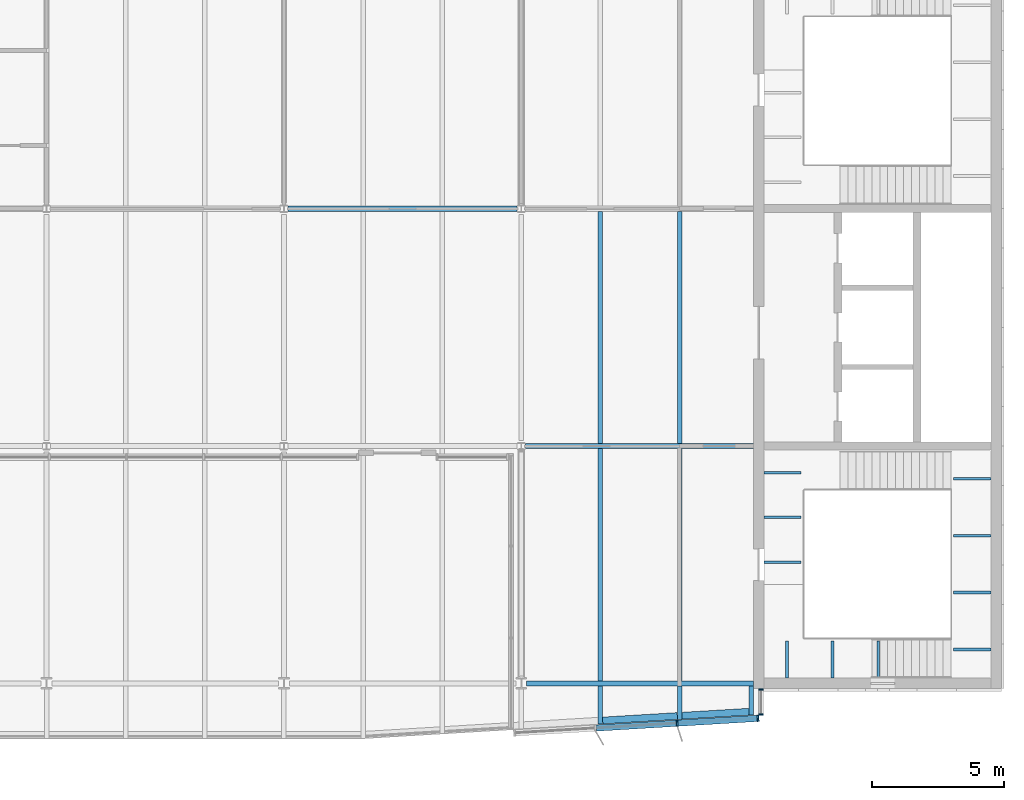
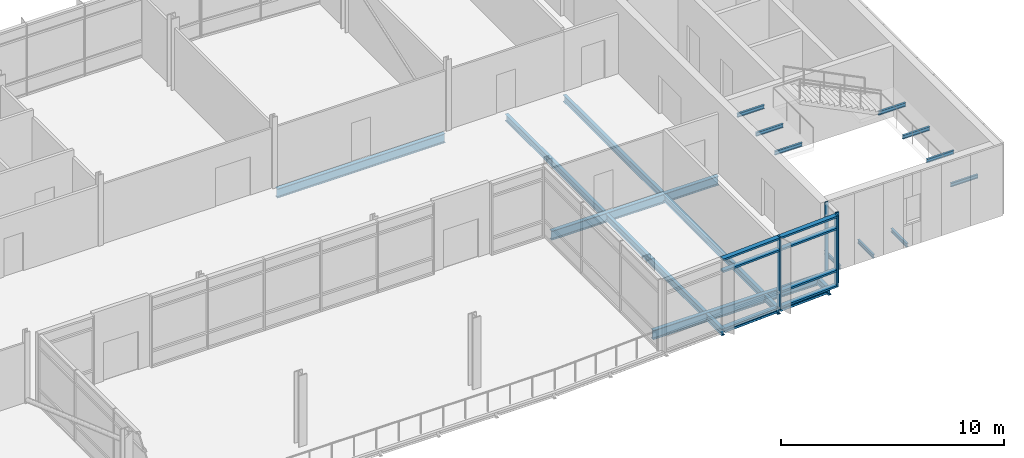
# One storey, part 7 of 19: 22 beams, 10 members, 2 elements without a shape of their own.
"""IFC4 building model written with IfcOpenShell, lengths in metres."""

from ifc_helpers import new_model, si_unit, direction, frame, origin, origin_2d, place, context, subcontext, project, spatial, rectangle, i_section, extrude, material, material_profile, profile_set, type_object, element, aggregate, save


model = new_model("IFC4")

# Units and contexts
model_context = context("Model", 3, precision=1e-05, world=origin(), true_north=direction((0.0, 1.0)))
body_context = subcontext(model_context, "Body", "Model", "MODEL_VIEW")
ifc_project = project(units=[si_unit("LENGTHUNIT", "METRE"), si_unit("AREAUNIT", "SQUARE_METRE"), si_unit("VOLUMEUNIT", "CUBIC_METRE"), si_unit("PLANEANGLEUNIT", "RADIAN"), si_unit("MASSUNIT", "GRAM", prefix="KILO")], contexts=[model_context])

# Site, building, storey
site_placement = place(None, origin())
site = spatial("IfcSite", under=ifc_project, at=site_placement, CompositionType="ELEMENT")
building_placement = place(site_placement, origin())
building = spatial("IfcBuilding", under=site, at=building_placement, Name="Azimuth Sports and Learning Centre", CompositionType="ELEMENT")
storey_placement = place(building_placement, frame((0.0, 0.0, 67.5)))
storey = spatial("IfcBuildingStorey", under=building, at=storey_placement, Name="L15", CompositionType="ELEMENT", Elevation=67.5)

# Beams
ifc_material_1 = material(Name="Steel S355", Category="steel")
ifc_material_profile_1 = material_profile(ifc_material_1, i_section(OverallWidth=0.10009765625, OverallDepth=0.199951171875, WebThickness=0.005615234375, FlangeThickness=0.008544921875, FilletRadius=0.011962890625, at=origin_2d()), Name="IPE 200")
ifc_profile_set_1 = profile_set([ifc_material_profile_1], Name="Steel S355")
beam_type_1 = type_object("IfcBeamType", Name="Beam IPE 200", PredefinedType="BEAM", material=ifc_profile_set_1)
for number, where, z_axis, x_axis, name in (
    (1, (109.0732421875, 90.199951171875, -0.300048828125), (0.0, 1.0, 0.0), (-1.0, 0.0, 0.0), "Landing bracket E1 L15 505"),
    (2, (110.800048828125, 90.199951171875, -0.300048828125), (0.0, 1.0, 0.0), (-1.0, 0.0, 0.0), "Landing bracket E1 L15 506"),
    (3, (112.526611328125, 90.199951171875, -0.300048828125), (0.0, 1.0, 0.0), (-1.0, 0.0, 0.0), "Landing bracket E1 L15 507"),
    (4, (116.800048828125, 91.288818359375, 1.35009765625), (-1.0, 0.0, 0.0), (0.0, -1.0, 0.0), "Landing bracket E1 L15 508"),
    (5, (116.800048828125, 93.4462890625, 1.35009765625), (-1.0, 0.0, 0.0), (0.0, -1.0, 0.0), "Landing bracket E1 L15 509"),
    (6, (116.800048828125, 95.603759765625, 1.35009765625), (-1.0, 0.0, 0.0), (0.0, -1.0, 0.0), "Landing bracket E1 L15 510"),
    (7, (116.800048828125, 97.76123046875, 1.35009765625), (-1.0, 0.0, 0.0), (0.0, -1.0, 0.0), "Landing bracket E1 L15 511"),
    (8, (108.199951171875, 94.598388671875, 3.60009765625), (1.0, 0.0, 0.0), (0.0, 1.0, 0.0), "Landing bracket E1 L15 512"),
    (9, (108.199951171875, 96.294921875, 3.60009765625), (1.0, 0.0, 0.0), (0.0, 1.0, 0.0), "Landing bracket E1 L15 513"),
    (10, (108.199951171875, 97.99169921875, 3.60009765625), (1.0, 0.0, 0.0), (0.0, 1.0, 0.0), "Landing bracket E1 L15 514"),
):
    element("IfcBeam", number, at=place(storey_placement, frame(where, z_axis=z_axis, x_axis=x_axis)), inside=storey, type_object=beam_type_1, Name=name, PredefinedType="BEAM", context=body_context, shape_type="SweptSolid", body=[
        extrude(i_section(OverallWidth=0.10009765625, OverallDepth=0.199951171875, WebThickness=0.005615234375, FlangeThickness=0.008544921875, FilletRadius=0.011962890625, at=origin_2d()), origin(), (0.0, 0.0, 1.0), 1.41015625),
    ])
ifc_material_2 = material(Name="Steel S355", Category="steel")
ifc_material_profile_2 = material_profile(ifc_material_2, i_section(OverallWidth=0.199951171875, OverallDepth=0.5, WebThickness=0.01025390625, FlangeThickness=0.01611328125, FilletRadius=0.02099609375, at=origin_2d()), Name="IPE 500")
ifc_profile_set_2 = profile_set([ifc_material_profile_2], Name="Steel S355")
beam_type_2 = type_object("IfcBeamType", Name="Beam IPE 500", PredefinedType="BEAM", material=ifc_profile_set_2)
beam_1_placement = place(storey_placement, frame((99.2060546875, 90.0, -0.3798828125), z_axis=(1.0, 0.0, 0.0), x_axis=(0.0, 1.0, 0.0)))
element("IfcBeam", 11, at=beam_1_placement, inside=storey, type_object=beam_type_2, Name="Tower girder L15", PredefinedType="BEAM", context=body_context, shape_type="SweptSolid", body=[
    extrude(i_section(OverallWidth=0.199951171875, OverallDepth=0.5, WebThickness=0.01025390625, FlangeThickness=0.01611328125, FilletRadius=0.02099609375, at=origin_2d()), origin(), (0.0, 0.0, 1.0), 8.593994140625),
])
beam_2_placement = place(storey_placement, frame((99.153564453125, 99.0, -0.3798828125), z_axis=(1.0, 0.0, 0.0), x_axis=(0.0, 1.0, 0.0)))
element("IfcBeam", 12, at=beam_2_placement, inside=storey, type_object=beam_type_2, Name="Tower girder L15", PredefinedType="BEAM", context=body_context, shape_type="SweptSolid", body=[
    extrude(i_section(OverallWidth=0.199951171875, OverallDepth=0.5, WebThickness=0.01025390625, FlangeThickness=0.01611328125, FilletRadius=0.02099609375, at=origin_2d()), origin(), (0.0, 0.0, 1.0), 8.646484375),
])
beam_3_placement = place(storey_placement, frame((90.153564453125, 108.0, -0.3798828125), z_axis=(1.0, 0.0, 0.0), x_axis=(0.0, 1.0, 0.0)))
element("IfcBeam", 13, at=beam_3_placement, inside=storey, type_object=beam_type_2, Name="Tower girder L15", PredefinedType="BEAM", context=body_context, shape_type="SweptSolid", body=[
    extrude(i_section(OverallWidth=0.199951171875, OverallDepth=0.5, WebThickness=0.01025390625, FlangeThickness=0.01611328125, FilletRadius=0.02099609375, at=origin_2d()), origin(), (0.0, 0.0, 1.0), 8.69287109375),
])
ifc_material_3 = material(Name="Steel S355", Category="steel")
ifc_material_profile_3 = material_profile(ifc_material_3, i_section(OverallWidth=0.169921875, OverallDepth=0.360107421875, WebThickness=0.008056640625, FlangeThickness=0.0126953125, FilletRadius=0.01806640625, at=origin_2d()), Name="IPE 360")
ifc_profile_set_3 = profile_set([ifc_material_profile_3], Name="Steel S355")
beam_type_3 = type_object("IfcBeamType", Name="Cantilever stub IPE 360", PredefinedType="JOIST", material=ifc_profile_set_3)
beam_4_placement = place(storey_placement, frame((102.0, 89.89990234375, -0.31005859375), z_axis=(0.0, -1.0, 0.0), x_axis=(1.0, 0.0, 0.0)))
element("IfcBeam", 14, at=beam_4_placement, inside=storey, type_object=beam_type_3, Name="Tower cantilever stub", PredefinedType="JOIST", context=body_context, shape_type="SweptSolid", body=[
    extrude(i_section(OverallWidth=0.169921875, OverallDepth=0.360107421875, WebThickness=0.008056640625, FlangeThickness=0.0126953125, FilletRadius=0.01806640625, at=origin_2d()), origin(), (0.0, 0.0, 1.0), 1.43994140625),
])
beam_5_placement = place(storey_placement, frame((105.0, 89.89990234375, -0.31005859375), z_axis=(0.0, -1.0, 0.0), x_axis=(1.0, 0.0, 0.0)))
element("IfcBeam", 15, at=beam_5_placement, inside=storey, type_object=beam_type_3, Name="Tower cantilever stub", PredefinedType="JOIST", context=body_context, shape_type="SweptSolid", body=[
    extrude(i_section(OverallWidth=0.169921875, OverallDepth=0.360107421875, WebThickness=0.008056640625, FlangeThickness=0.0126953125, FilletRadius=0.01806640625, at=origin_2d()), origin(), (0.0, 0.0, 1.0), 1.260009765625),
])
beam_6_placement = place(storey_placement, frame((107.715087890625, 89.89990234375, -0.31005859375), z_axis=(0.0, -1.0, 0.0), x_axis=(1.0, 0.0, 0.0)))
element("IfcBeam", 16, at=beam_6_placement, inside=storey, type_object=beam_type_3, Name="Tower cantilever stub", PredefinedType="JOIST", context=body_context, shape_type="SweptSolid", body=[
    extrude(i_section(OverallWidth=0.169921875, OverallDepth=0.360107421875, WebThickness=0.008056640625, FlangeThickness=0.0126953125, FilletRadius=0.01806640625, at=origin_2d()), origin(), (0.0, 0.0, 1.0), 1.096923828125),
])
ifc_material_4 = material(Name="Steel S355", Category="steel")
ifc_material_profile_4 = material_profile(ifc_material_4, i_section(OverallWidth=0.260009765625, OverallDepth=0.25, WebThickness=0.007568359375, FlangeThickness=0.012451171875, FilletRadius=0.02392578125, at=origin_2d()), Name="HEA 260")
ifc_profile_set_4 = profile_set([ifc_material_profile_4], Name="Steel S355")
beam_type_4 = type_object("IfcBeamType", Name="Edge beam HEA 260", PredefinedType="SPANDREL", material=ifc_profile_set_4)
beam_7_placement = place(storey_placement, frame((102.0849609375, 88.59521484375, -0.2548828125), z_axis=(0.998207521518, 0.059847673176, 0.0), x_axis=(-0.059847673176, 0.998207521518, 0.0)))
element("IfcBeam", 17, at=beam_7_placement, inside=storey, type_object=beam_type_4, Name="Tower edge beam", PredefinedType="SPANDREL", context=body_context, shape_type="SweptSolid", body=[
    extrude(i_section(OverallWidth=0.260009765625, OverallDepth=0.25, WebThickness=0.007568359375, FlangeThickness=0.012451171875, FilletRadius=0.02392578125, at=origin_2d()), origin(), (0.0, 0.0, 1.0), 2.835205078125),
])
beam_8_placement = place(storey_placement, frame((105.0849609375, 88.775146484375, -0.2548828125), z_axis=(0.998207363591, 0.059850307199, 0.0), x_axis=(-0.059850307199, 0.998207363591, 0.0)))
element("IfcBeam", 18, at=beam_8_placement, inside=storey, type_object=beam_type_4, Name="Tower edge beam", PredefinedType="SPANDREL", context=body_context, shape_type="SweptSolid", body=[
    extrude(i_section(OverallWidth=0.260009765625, OverallDepth=0.25, WebThickness=0.007568359375, FlangeThickness=0.012451171875, FilletRadius=0.02392578125, at=origin_2d()), origin(), (0.0, 0.0, 1.0), 2.549560546875),
])
ifc_material_5 = material(Name="Steel S355", Category="steel")
ifc_material_profile_5 = material_profile(ifc_material_5, i_section(OverallWidth=0.169921875, OverallDepth=0.360107421875, WebThickness=0.008056640625, FlangeThickness=0.0126953125, FilletRadius=0.01806640625, at=origin_2d()), Name="IPE 360")
ifc_profile_set_5 = profile_set([ifc_material_profile_5], Name="Steel S355")
beam_type_5 = type_object("IfcBeamType", Name="Joist IPE 360", PredefinedType="JOIST", material=ifc_profile_set_5)
for number, where, z_axis, x_axis, name in (
    (19, (102.0, 90.10009765625, -0.31005859375), (0.0, 1.0, 0.0), (-1.0, 0.0, 0.0), "Tower joist"),
    (20, (102.0, 99.10009765625, -0.31005859375), (0.0, 1.0, 0.0), (-1.0, 0.0, 0.0), "Tower joist"),
    (21, (105.0, 90.10009765625, -0.31005859375), (0.0, 1.0, 0.0), (-1.0, 0.0, 0.0), "Tower joist"),
    (22, (105.0, 99.10009765625, -0.31005859375), (0.0, 1.0, 0.0), (-1.0, 0.0, 0.0), "Tower joist"),
):
    element("IfcBeam", number, at=place(storey_placement, frame(where, z_axis=z_axis, x_axis=x_axis)), inside=storey, type_object=beam_type_5, Name=name, PredefinedType="JOIST", context=body_context, shape_type="SweptSolid", body=[
        extrude(i_section(OverallWidth=0.169921875, OverallDepth=0.360107421875, WebThickness=0.008056640625, FlangeThickness=0.0126953125, FilletRadius=0.01806640625, at=origin_2d()), origin(), (0.0, 0.0, 1.0), 8.7998046875),
    ])

# Curtain wall, members
ifc_material_6 = material(Name="Aluminium and glass", Category="aluminium")
curtain_wall_type_1 = type_object("IfcCurtainWallType", Name="Curtain wall tower return 180", PredefinedType="NOTDEFINED", material=ifc_material_6)
curtain_wall_1_placement = place(storey_placement, origin())
curtain_wall_1 = element("IfcCurtainWall", 23, at=curtain_wall_1_placement, inside=storey, type_object=curtain_wall_type_1, Name="Curtain wall CW15-009", PredefinedType="NOTDEFINED")
ifc_material_7 = material(Name="Aluminium", Category="aluminium")
ifc_material_profile_6 = material_profile(ifc_material_7, rectangle(XDim=0.179931640625, YDim=0.06005859375, at=origin_2d()), Name="Mullion 60x180")
ifc_profile_set_6 = profile_set([ifc_material_profile_6], Name="Aluminium")
member_type_1 = type_object("IfcMemberType", Name="Mullion 60x180", PredefinedType="MULLION", material=ifc_profile_set_6)
member_1_placement = place(storey_placement, frame((108.090087890625, 88.830078125, 0.0), z_axis=(0.0, 0.0, 1.0), x_axis=(-1.0, 0.0, 0.0)))
member_1 = element("IfcMember", 24, at=member_1_placement, type_object=member_type_1, Name="CW15-009 mullion 1", PredefinedType="MULLION", context=body_context, shape_type="SweptSolid", body=[
    extrude(rectangle(XDim=0.179931640625, YDim=0.06005859375, at=origin_2d()), origin(), (0.0, 0.0, 1.0), 3.89990234375),
])
member_2_placement = place(storey_placement, frame((108.090087890625, 89.77001953125, 0.0), z_axis=(0.0, 0.0, 1.0), x_axis=(-1.0, 0.0, 0.0)))
member_2 = element("IfcMember", 25, at=member_2_placement, type_object=member_type_1, Name="CW15-009 mullion 2", PredefinedType="MULLION", context=body_context, shape_type="SweptSolid", body=[
    extrude(rectangle(XDim=0.179931640625, YDim=0.06005859375, at=origin_2d()), origin(), (0.0, 0.0, 1.0), 3.89990234375),
])
aggregate(curtain_wall_1, [member_1, member_2])

ifc_material_8 = material(Name="Aluminium and glass", Category="aluminium")
curtain_wall_type_2 = type_object("IfcCurtainWallType", Name="Curtain wall tower south 240", PredefinedType="NOTDEFINED", material=ifc_material_8)
curtain_wall_2_placement = place(storey_placement, origin())
curtain_wall_2 = element("IfcCurtainWall", 26, at=curtain_wall_2_placement, inside=storey, type_object=curtain_wall_type_2, Name="Curtain wall CW15-008", PredefinedType="NOTDEFINED")
ifc_material_9 = material(Name="Aluminium", Category="aluminium")
ifc_material_profile_7 = material_profile(ifc_material_9, rectangle(XDim=0.239990234375, YDim=0.070068359375, at=origin_2d()), Name="Mullion 70x240")
ifc_profile_set_7 = profile_set([ifc_material_profile_7], Name="Aluminium")
member_type_2 = type_object("IfcMemberType", Name="Mullion 70x240", PredefinedType="MULLION", material=ifc_profile_set_7)
member_3_placement = place(storey_placement, frame((104.9072265625, 88.494140625, 0.0), z_axis=(0.0, 0.0, 1.0), x_axis=(-0.059891991812, 0.998204863401, 0.0)))
member_3 = element("IfcMember", 27, at=member_3_placement, type_object=member_type_2, Name="CW15-008 mullion 3", PredefinedType="MULLION", context=body_context, shape_type="SweptSolid", body=[
    extrude(rectangle(XDim=0.239990234375, YDim=0.070068359375, at=origin_2d()), origin(), (0.0, 0.0, 1.0), 3.89990234375),
])
member_4_placement = place(storey_placement, frame((107.97216796875, 88.67822265625, 0.0), z_axis=(0.0, 0.0, 1.0), x_axis=(-0.059891991812, 0.998204863401, 0.0)))
member_4 = element("IfcMember", 28, at=member_4_placement, type_object=member_type_2, Name="CW15-008 mullion 4", PredefinedType="MULLION", context=body_context, shape_type="SweptSolid", body=[
    extrude(rectangle(XDim=0.239990234375, YDim=0.070068359375, at=origin_2d()), origin(), (0.0, 0.0, 1.0), 3.89990234375),
])
ifc_material_10 = material(Name="Aluminium", Category="aluminium")
ifc_material_profile_8 = material_profile(ifc_material_10, rectangle(XDim=0.239990234375, YDim=0.10009765625, at=origin_2d()), Name="Transom 100x240")
ifc_profile_set_8 = profile_set([ifc_material_profile_8], Name="Aluminium")
member_type_3 = type_object("IfcMemberType", Name="Transom 100x240", PredefinedType="USERDEFINED", material=ifc_profile_set_8)
member_5_placement = place(storey_placement, frame((101.842041015625, 88.310302734375, 3.199951171875), z_axis=(0.998203498963, 0.059914728225, 0.0), x_axis=(-0.059914728225, 0.998203498963, 0.0)))
member_5 = element("IfcMember", 29, at=member_5_placement, type_object=member_type_3, Name="CW15-008 transom 2.3", ObjectType="TRANSOM", PredefinedType="USERDEFINED", context=body_context, shape_type="SweptSolid", body=[
    extrude(rectangle(XDim=0.239990234375, YDim=0.10009765625, at=origin_2d()), origin(), (0.0, 0.0, 1.0), 3.03564453125),
])
member_6_placement = place(storey_placement, frame((101.842041015625, 88.310302734375, 3.85009765625), z_axis=(0.998203498963, 0.059914728225, 0.0), x_axis=(-0.059914728225, 0.998203498963, 0.0)))
member_6 = element("IfcMember", 30, at=member_6_placement, type_object=member_type_3, Name="CW15-008 transom 2.4", ObjectType="TRANSOM", PredefinedType="USERDEFINED", context=body_context, shape_type="SweptSolid", body=[
    extrude(rectangle(XDim=0.239990234375, YDim=0.10009765625, at=origin_2d()), origin(), (0.0, 0.0, 1.0), 3.03564453125),
])
member_7_placement = place(storey_placement, frame((104.942138671875, 88.496337890625, 0.050048828125), z_axis=(0.998205234603, 0.05988580475, 0.0), x_axis=(-0.05988580475, 0.998205234603, 0.0)))
member_7 = element("IfcMember", 31, at=member_7_placement, type_object=member_type_3, Name="CW15-008 transom 3.1", ObjectType="TRANSOM", PredefinedType="USERDEFINED", context=body_context, shape_type="SweptSolid", body=[
    extrude(rectangle(XDim=0.239990234375, YDim=0.10009765625, at=origin_2d()), origin(), (0.0, 0.0, 1.0), 3.00048828125),
])
member_8_placement = place(storey_placement, frame((104.942138671875, 88.496337890625, 0.89990234375), z_axis=(0.998205234603, 0.05988580475, 0.0), x_axis=(-0.05988580475, 0.998205234603, 0.0)))
member_8 = element("IfcMember", 32, at=member_8_placement, type_object=member_type_3, Name="CW15-008 transom 3.2", ObjectType="TRANSOM", PredefinedType="USERDEFINED", context=body_context, shape_type="SweptSolid", body=[
    extrude(rectangle(XDim=0.239990234375, YDim=0.10009765625, at=origin_2d()), origin(), (0.0, 0.0, 1.0), 3.00048828125),
])
member_9_placement = place(storey_placement, frame((104.942138671875, 88.496337890625, 3.199951171875), z_axis=(0.998205234603, 0.05988580475, 0.0), x_axis=(-0.05988580475, 0.998205234603, 0.0)))
member_9 = element("IfcMember", 33, at=member_9_placement, type_object=member_type_3, Name="CW15-008 transom 3.3", ObjectType="TRANSOM", PredefinedType="USERDEFINED", context=body_context, shape_type="SweptSolid", body=[
    extrude(rectangle(XDim=0.239990234375, YDim=0.10009765625, at=origin_2d()), origin(), (0.0, 0.0, 1.0), 3.00048828125),
])
member_10_placement = place(storey_placement, frame((104.942138671875, 88.496337890625, 3.85009765625), z_axis=(0.998205234603, 0.05988580475, 0.0), x_axis=(-0.05988580475, 0.998205234603, 0.0)))
member_10 = element("IfcMember", 34, at=member_10_placement, type_object=member_type_3, Name="CW15-008 transom 3.4", ObjectType="TRANSOM", PredefinedType="USERDEFINED", context=body_context, shape_type="SweptSolid", body=[
    extrude(rectangle(XDim=0.239990234375, YDim=0.10009765625, at=origin_2d()), origin(), (0.0, 0.0, 1.0), 3.00048828125),
])
aggregate(curtain_wall_2, [member_3, member_4, member_5, member_6, member_7, member_8, member_9, member_10])

save(model, "model.ifc")
